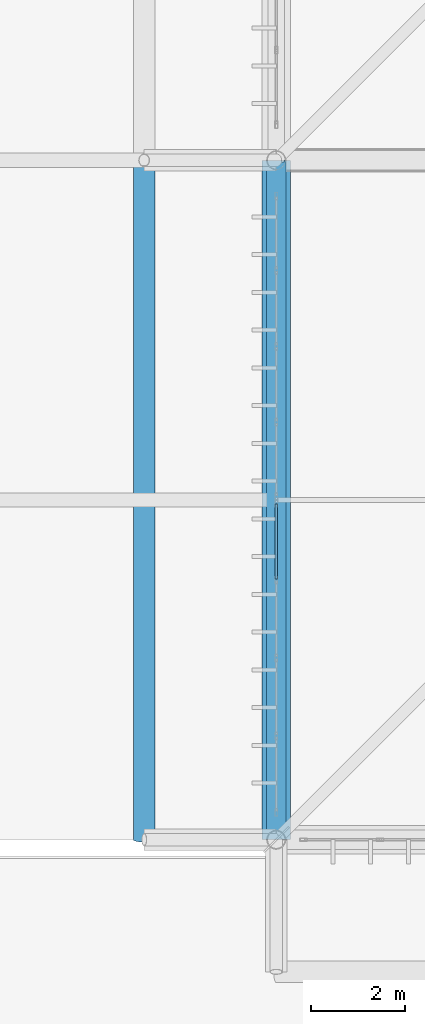
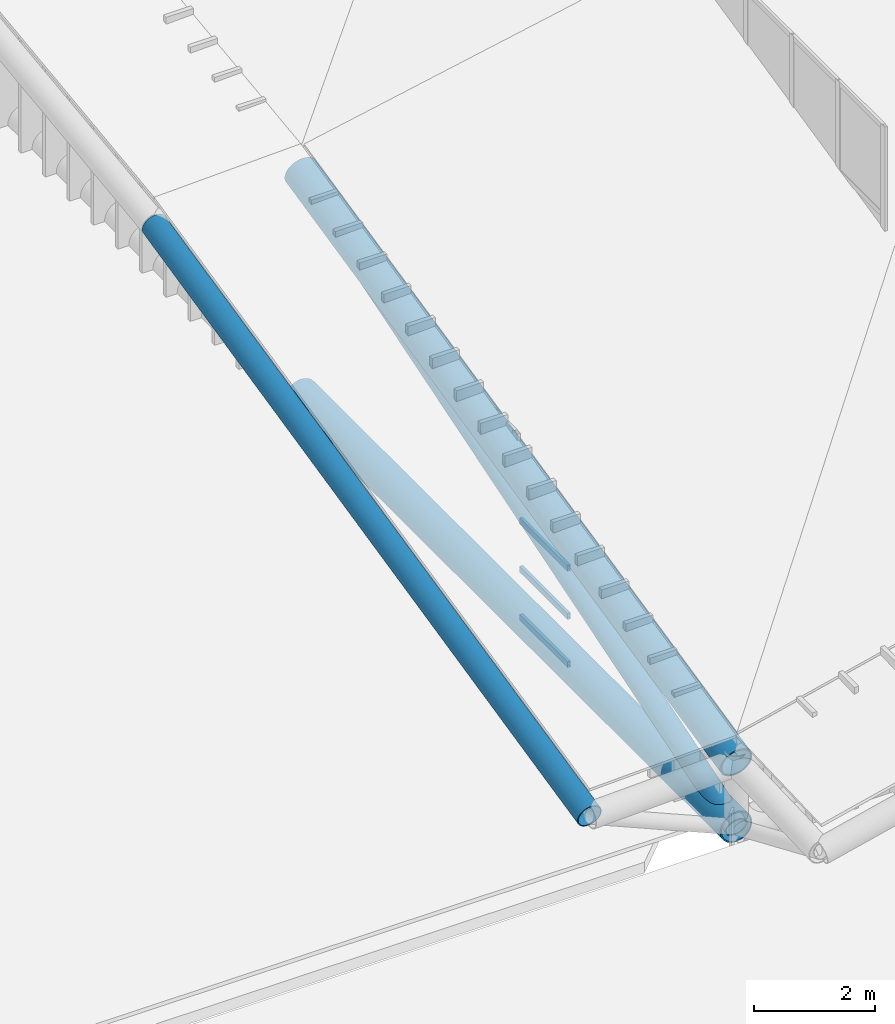
# One storey, part 8 of 397: 4 members, 3 beams, 1 element without a shape of its own.
"""IFC4 building model written with IfcOpenShell, lengths in metres."""

from ifc_helpers import new_model, si_unit, direction, frame, origin, origin_2d, place, context, subcontext, project, spatial, hollow_rectangle, hollow_circle, extrude, material, material_profile, profile_set, type_object, element, aggregate, save


model = new_model("IFC4")

# Units and contexts
model_context = context("Model", 3, precision=1e-05, world=origin(), true_north=direction((0.0, 1.0)))
body_context = subcontext(model_context, "Body", "Model", "MODEL_VIEW")
ifc_project = project(units=[si_unit("LENGTHUNIT", "METRE"), si_unit("AREAUNIT", "SQUARE_METRE"), si_unit("VOLUMEUNIT", "CUBIC_METRE"), si_unit("PLANEANGLEUNIT", "RADIAN"), si_unit("MASSUNIT", "GRAM", prefix="KILO")], contexts=[model_context])

# Site, building, storey
site_placement = place(None, origin())
site = spatial("IfcSite", under=ifc_project, at=site_placement, CompositionType="ELEMENT")
building_placement = place(site_placement, origin())
building = spatial("IfcBuilding", under=site, at=building_placement, Name="Qandorah Velis Arena", CompositionType="ELEMENT")
storey_placement = place(building_placement, frame((0.0, 0.0, 27.5)))
storey = spatial("IfcBuildingStorey", under=building, at=storey_placement, Name="RF", CompositionType="ELEMENT", Elevation=27.5)

# Curtain wall, members
ifc_material_1 = material(Name="Solar-control low-E double glazing", Category="glass")
curtain_wall_type = type_object("IfcCurtainWallType", Name="ARC-CW-SYS01", PredefinedType="USERDEFINED", material=ifc_material_1)
curtain_wall_placement = place(storey_placement, origin())
curtain_wall = element("IfcCurtainWall", 1, at=curtain_wall_placement, inside=storey, type_object=curtain_wall_type, Name="Unitised curtain wall CROWN-1-01S1", ObjectType="UNITISED CURTAIN WALL", PredefinedType="USERDEFINED")
ifc_material_2 = material(Name="Champagne-bronze anodized aluminium 6063-T6", Category="aluminium")
ifc_material_profile_1 = material_profile(ifc_material_2, hollow_rectangle(XDim=0.06005859375, YDim=0.1201171875, WallThickness=0.0029296875, at=origin_2d()), Name="ALU TRANSOM 60x120")
ifc_profile_set_1 = profile_set([ifc_material_profile_1], Name="Champagne-bronze anodized aluminium 6063-T6")
member_type_1 = type_object("IfcMemberType", Name="ARC-CWT-120", PredefinedType="USERDEFINED", material=ifc_profile_set_1)
member_1_placement = place(storey_placement, frame((14.39990234375, 19.925537109375, 0.030029296875), z_axis=(0.0, 1.0, 0.0), x_axis=(-1.0, 0.0, 0.0)))
member_1 = element("IfcMember", 2, at=member_1_placement, type_object=member_type_1, Name="CW01 transom 4.1", ObjectType="TRANSOM", PredefinedType="USERDEFINED", context=body_context, shape_type="SweptSolid", body=[
    extrude(hollow_rectangle(XDim=0.06005859375, YDim=0.1201171875, WallThickness=0.0029296875, at=origin_2d()), origin(), (0.0, 0.0, 1.0), 1.58642578125),
])
member_2_placement = place(storey_placement, frame((14.39990234375, 19.925537109375, 1.00146484375), z_axis=(0.0, 1.0, 0.0), x_axis=(-1.0, 0.0, 0.0)))
member_2 = element("IfcMember", 3, at=member_2_placement, type_object=member_type_1, Name="CW01 transom 4.2", ObjectType="TRANSOM", PredefinedType="USERDEFINED", context=body_context, shape_type="SweptSolid", body=[
    extrude(hollow_rectangle(XDim=0.06005859375, YDim=0.1201171875, WallThickness=0.0029296875, at=origin_2d()), origin(), (0.0, 0.0, 1.0), 1.58642578125),
])
member_3_placement = place(storey_placement, frame((14.39990234375, 19.925537109375, 1.972900390625), z_axis=(0.0, 1.0, 0.0), x_axis=(-1.0, 0.0, 0.0)))
member_3 = element("IfcMember", 4, at=member_3_placement, type_object=member_type_1, Name="CW01 transom 4.3", ObjectType="TRANSOM", PredefinedType="USERDEFINED", context=body_context, shape_type="SweptSolid", body=[
    extrude(hollow_rectangle(XDim=0.06005859375, YDim=0.1201171875, WallThickness=0.0029296875, at=origin_2d()), origin(), (0.0, 0.0, 1.0), 1.58642578125),
])
aggregate(curtain_wall, [member_1, member_2, member_3])

# Beams
ifc_material_3 = material(Name="Steel S355", Category="steel")
ifc_material_profile_2 = material_profile(ifc_material_3, hollow_circle(Radius=0.228515625, WallThickness=0.01611328125, at=origin_2d()), Name="CHS 457x16")
ifc_profile_set_2 = profile_set([ifc_material_profile_2], Name="Steel S355")
beam_type_1 = type_object("IfcBeamType", Name="STR-SFC-CHS457X16", PredefinedType="USERDEFINED", material=ifc_profile_set_2)
beam_1_placement = place(storey_placement, frame((11.60009765625, 14.39990234375, 1.300048828125), z_axis=(0.0, 0.976068936102, 0.217461334441), x_axis=(-1.0, 0.0, 0.0)))
element("IfcBeam", 5, at=beam_1_placement, inside=storey, type_object=beam_type_1, Name="Space frame eave fascia ring W-0", ObjectType="ROOF TRUSS", PredefinedType="USERDEFINED", context=body_context, shape_type="SweptSolid", body=[
    extrude(hollow_circle(Radius=0.228515625, WallThickness=0.01611328125, at=origin_2d()), origin(), (0.0, 0.0, 1.0), 14.753173828125),
])
ifc_material_4 = material(Name="Steel S460", Category="steel")
ifc_material_profile_3 = material_profile(ifc_material_4, hollow_circle(Radius=0.304931640625, WallThickness=0.02490234375, at=origin_2d()), Name="CHS 610x25")
ifc_profile_set_3 = profile_set([ifc_material_profile_3], Name="Steel S460")
beam_type_2 = type_object("IfcBeamType", Name="STR-SFC-CHS610X25", PredefinedType="USERDEFINED", material=ifc_profile_set_3)
beam_2_placement = place(storey_placement, frame((14.39990234375, 14.39990234375, 0.10009765625), z_axis=(0.0, 1.0, 0.0), x_axis=(-1.0, 0.0, 0.0)))
element("IfcBeam", 6, at=beam_2_placement, inside=storey, type_object=beam_type_2, Name="Space frame roof truss bottom chord Y 0.0", ObjectType="ROOF TRUSS", PredefinedType="USERDEFINED", context=body_context, shape_type="SweptSolid", body=[
    extrude(hollow_circle(Radius=0.304931640625, WallThickness=0.02490234375, at=origin_2d()), origin(), (0.0, 0.0, 1.0), 14.400146484375),
])
ifc_material_profile_4 = material_profile(ifc_material_4, hollow_circle(Radius=0.304931640625, WallThickness=0.031982421875, at=origin_2d()), Name="CHS 610x32")
ifc_profile_set_4 = profile_set([ifc_material_profile_4], Name="Steel S460")
beam_type_3 = type_object("IfcBeamType", Name="STR-SFC-CHS610X32", PredefinedType="USERDEFINED", material=ifc_profile_set_4)
beam_3_placement = place(storey_placement, frame((14.39990234375, 14.39990234375, 1.39990234375), z_axis=(0.0, 0.976065423489, 0.217477100105), x_axis=(-1.0, 0.0, 0.0)))
element("IfcBeam", 7, at=beam_3_placement, inside=storey, type_object=beam_type_3, Name="Space frame roof truss top chord Y 0.0", ObjectType="ROOF TRUSS", PredefinedType="USERDEFINED", context=body_context, shape_type="SweptSolid", body=[
    extrude(hollow_circle(Radius=0.304931640625, WallThickness=0.031982421875, at=origin_2d()), origin(), (0.0, 0.0, 1.0), 14.753173828125),
])

# Member
ifc_material_profile_5 = material_profile(ifc_material_3, hollow_circle(Radius=0.203125, WallThickness=0.01611328125, at=origin_2d()), Name="CHS 406.4x16")
ifc_profile_set_5 = profile_set([ifc_material_profile_5], Name="Steel S355")
member_type_2 = type_object("IfcMemberType", Name="STR-SFD-CHS406X16", PredefinedType="STRUT", material=ifc_profile_set_5)
member_4_placement = place(storey_placement, frame((14.39990234375, 14.39990234375, 0.10009765625), z_axis=(0.0, 0.954324097218, 0.298773354682), x_axis=(-1.0, 0.0, 0.0)))
element("IfcMember", 8, at=member_4_placement, inside=storey, type_object=member_type_2, Name="Space frame roof diagonal Y 0.0", PredefinedType="STRUT", context=body_context, shape_type="SweptSolid", body=[
    extrude(hollow_circle(Radius=0.203125, WallThickness=0.01611328125, at=origin_2d()), origin(), (0.0, 0.0, 1.0), 15.08935546875),
])

save(model, "model.ifc")
